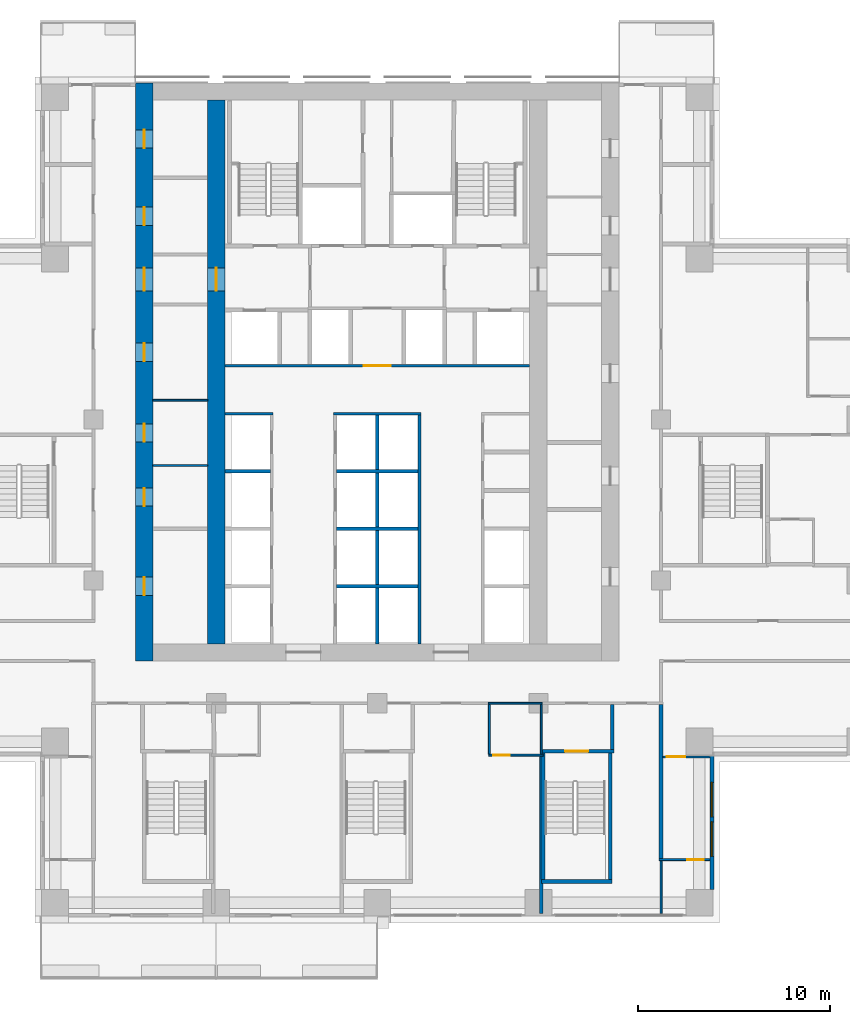
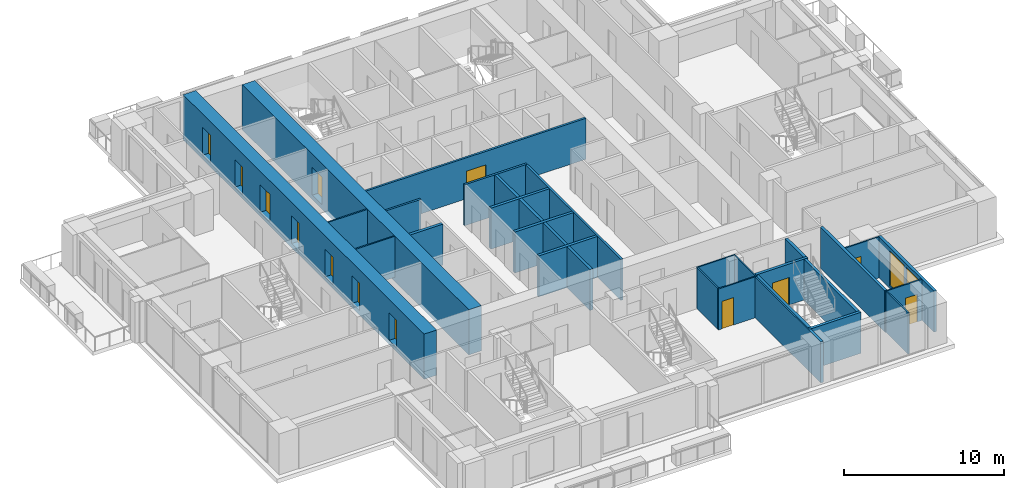
# One storey, part 8 of 16: 28 walls, 13 doors, 2 windows, 15 openings.
"""IFC4 building model written with IfcOpenShell, lengths in metres."""

from ifc_helpers import new_model, si_unit, direction, frame, frame_2d, origin, place, context, subcontext, project, spatial, rectangle, extrude, material, layer, layer_set, type_object, element, fill, save


model = new_model("IFC4")

# Units and contexts
model_context = context("Model", 3, precision=1e-05, world=origin(), true_north=direction((0.0, 1.0)))
body_context = subcontext(model_context, "Body", "Model", "MODEL_VIEW")
ifc_project = project(units=[si_unit("LENGTHUNIT", "METRE"), si_unit("AREAUNIT", "SQUARE_METRE"), si_unit("VOLUMEUNIT", "CUBIC_METRE"), si_unit("PLANEANGLEUNIT", "RADIAN"), si_unit("MASSUNIT", "GRAM", prefix="KILO")], contexts=[model_context])

# Site, building, storey
site_placement = place(None, origin())
site = spatial("IfcSite", under=ifc_project, at=site_placement, CompositionType="ELEMENT")
building_placement = place(site_placement, origin())
building = spatial("IfcBuilding", under=site, at=building_placement, Name="Vermilion Ogive Tower", CompositionType="ELEMENT")
storey_placement = place(building_placement, frame((0.0, 0.0, 44.85009765625)))
storey = spatial("IfcBuildingStorey", under=building, at=storey_placement, Name="L09", CompositionType="ELEMENT", Elevation=44.85009765625)

# Wall, openings, doors
ifc_material_1 = material(Name="Concrete B80", Category="concrete")
ifc_layer_1 = layer(ifc_material_1, 0.89990234375)
ifc_layer_set_1 = layer_set([ifc_layer_1], Name="Core wall 900 B80")
wall_type_1 = type_object("IfcWallType", Name="Core wall 900 B80", PredefinedType="SHEAR", material=ifc_layer_set_1)
wall_1_placement = place(storey_placement, frame((-12.14990234375, -8.39990234375, -0.320068359375), z_axis=(0.0, 0.0, 1.0), x_axis=(0.0, 1.0, 0.0)))
wall_1 = element("IfcWall", 1, at=wall_1_placement, inside=storey, type_object=wall_type_1, Name="L09-CORE-W", PredefinedType="SHEAR", context=body_context, shape_type="SweptSolid", body=[
    extrude(rectangle(XDim=30.14990234375, YDim=0.89990234375, at=frame_2d((15.074951171875, 0.0))), origin(), (0.0, 0.0, 1.0), 3.449951171875),
])
opening_1_placement = place(wall_1_placement, frame((3.425048828125, 0.0, 0.320068359375)))
opening_1 = element("IfcOpeningElement", 2, at=opening_1_placement, cuts=wall_1, Name="Opening DAD006", PredefinedType="OPENING", context=body_context, shape_type="SweptSolid", body=[
    extrude(rectangle(XDim=0.949951171875, YDim=2.10009765625, at=frame_2d((0.47509765625, 1.050048828125))), frame((0.0, 0.4599609375, 0.0), z_axis=(0.0, -1.0, 0.0), x_axis=(1.0, 0.0, 0.0)), (0.0, 0.0, 1.0), 0.919921875),
])
opening_2_placement = place(wall_1_placement, frame((8.074951171875, 0.0, 0.320068359375)))
opening_2 = element("IfcOpeningElement", 3, at=opening_2_placement, cuts=wall_1, Name="Opening DAD007", PredefinedType="OPENING", context=body_context, shape_type="SweptSolid", body=[
    extrude(rectangle(XDim=0.949951171875, YDim=2.10009765625, at=frame_2d((0.47509765625, 1.050048828125))), frame((0.0, 0.4599609375, 0.0), z_axis=(0.0, -1.0, 0.0), x_axis=(1.0, 0.0, 0.0)), (0.0, 0.0, 1.0), 0.919921875),
])
opening_3_placement = place(wall_1_placement, frame((11.425048828125, 0.0, 0.320068359375)))
opening_3 = element("IfcOpeningElement", 4, at=opening_3_placement, cuts=wall_1, Name="Opening DAD008", PredefinedType="OPENING", context=body_context, shape_type="SweptSolid", body=[
    extrude(rectangle(XDim=0.949951171875, YDim=2.10009765625, at=frame_2d((0.47509765625, 1.050048828125))), frame((0.0, 0.4599609375, 0.0), z_axis=(0.0, -1.0, 0.0), x_axis=(1.0, 0.0, 0.0)), (0.0, 0.0, 1.0), 0.919921875),
])
opening_4_placement = place(wall_1_placement, frame((15.625, 0.0, 0.320068359375)))
opening_4 = element("IfcOpeningElement", 5, at=opening_4_placement, cuts=wall_1, Name="Opening DAD009", PredefinedType="OPENING", context=body_context, shape_type="SweptSolid", body=[
    extrude(rectangle(XDim=0.949951171875, YDim=2.10009765625, at=frame_2d((0.47509765625, 1.050048828125))), frame((0.0, 0.4599609375, 0.0), z_axis=(0.0, -1.0, 0.0), x_axis=(1.0, 0.0, 0.0)), (0.0, 0.0, 1.0), 0.919921875),
])
opening_5_placement = place(wall_1_placement, frame((22.72509765625, 0.0, 0.320068359375)))
opening_5 = element("IfcOpeningElement", 6, at=opening_5_placement, cuts=wall_1, Name="Opening DAD010", PredefinedType="OPENING", context=body_context, shape_type="SweptSolid", body=[
    extrude(rectangle(XDim=0.949951171875, YDim=2.10009765625, at=frame_2d((0.47509765625, 1.050048828125))), frame((0.0, 0.4599609375, 0.0), z_axis=(0.0, -1.0, 0.0), x_axis=(1.0, 0.0, 0.0)), (0.0, 0.0, 1.0), 0.919921875),
])
opening_6_placement = place(wall_1_placement, frame((26.75, 0.0, 0.320068359375)))
opening_6 = element("IfcOpeningElement", 7, at=opening_6_placement, cuts=wall_1, Name="Opening DAD011", PredefinedType="OPENING", context=body_context, shape_type="SweptSolid", body=[
    extrude(rectangle(XDim=0.949951171875, YDim=2.10009765625, at=frame_2d((0.47509765625, 1.050048828125))), frame((0.0, 0.4599609375, 0.0), z_axis=(0.0, -1.0, 0.0), x_axis=(1.0, 0.0, 0.0)), (0.0, 0.0, 1.0), 0.919921875),
])
opening_7_placement = place(wall_1_placement, frame((19.300048828125, 0.0, 0.320068359375)))
opening_7 = element("IfcOpeningElement", 8, at=opening_7_placement, cuts=wall_1, Name="Opening DAM002", PredefinedType="OPENING", context=body_context, shape_type="SweptSolid", body=[
    extrude(rectangle(XDim=1.199951171875, YDim=2.10009765625, at=frame_2d((0.60009765625, 1.050048828125))), frame((0.0, 0.4599609375, 0.0), z_axis=(0.0, -1.0, 0.0), x_axis=(1.0, 0.0, 0.0)), (0.0, 0.0, 1.0), 0.919921875),
])
ifc_material_2 = material(Name="Timber door leaf", Category="wood")
door_type_1 = type_object("IfcDoorType", Name="Link door 1200 x 2100 FD60S", OperationType="SINGLE_SWING_LEFT", PredefinedType="DOOR", material=ifc_material_2)
door_1_placement = place(opening_7_placement, origin())
door_1 = element("IfcDoor", 9, at=door_1_placement, inside=storey, type_object=door_type_1, Name="L09-CKW-XL", OperationType="SINGLE_SWING_LEFT", OverallHeight=2.10009765625, OverallWidth=1.199951171875, PredefinedType="DOOR", context=body_context, shape_type="SweptSolid", body=[
    extrude(rectangle(XDim=1.199951171875, YDim=2.10009765625, at=frame_2d((0.60009765625, 1.050048828125))), frame((0.0, 0.02490234375, 0.0), z_axis=(0.0, -1.0, 0.0), x_axis=(1.0, 0.0, 0.0)), (0.0, 0.0, 1.0), 0.050048828125),
])
fill(opening_7, door_1)
ifc_material_3 = material(Name="Timber door leaf", Category="wood")
door_type_2 = type_object("IfcDoorType", Name="Service door 950 x 2100 FD60", OperationType="SINGLE_SWING_LEFT", PredefinedType="DOOR", material=ifc_material_3)
door_2_placement = place(opening_1_placement, origin())
door_2 = element("IfcDoor", 10, at=door_2_placement, inside=storey, type_object=door_type_2, Name="L09-CKW-XR0", OperationType="SINGLE_SWING_LEFT", OverallHeight=2.10009765625, OverallWidth=0.949951171875, PredefinedType="DOOR", context=body_context, shape_type="SweptSolid", body=[
    extrude(rectangle(XDim=0.949951171875, YDim=2.10009765625, at=frame_2d((0.47509765625, 1.050048828125))), frame((0.0, 0.02490234375, 0.0), z_axis=(0.0, -1.0, 0.0), x_axis=(1.0, 0.0, 0.0)), (0.0, 0.0, 1.0), 0.050048828125),
])
fill(opening_1, door_2)
door_3_placement = place(opening_2_placement, origin())
door_3 = element("IfcDoor", 11, at=door_3_placement, inside=storey, type_object=door_type_2, Name="L09-CKW-XR1", OperationType="SINGLE_SWING_LEFT", OverallHeight=2.10009765625, OverallWidth=0.949951171875, PredefinedType="DOOR", context=body_context, shape_type="SweptSolid", body=[
    extrude(rectangle(XDim=0.949951171875, YDim=2.10009765625, at=frame_2d((0.47509765625, 1.050048828125))), frame((0.0, 0.02490234375, 0.0), z_axis=(0.0, -1.0, 0.0), x_axis=(1.0, 0.0, 0.0)), (0.0, 0.0, 1.0), 0.050048828125),
])
fill(opening_2, door_3)
door_4_placement = place(opening_3_placement, origin())
door_4 = element("IfcDoor", 12, at=door_4_placement, inside=storey, type_object=door_type_2, Name="L09-CKW-XR2", OperationType="SINGLE_SWING_LEFT", OverallHeight=2.10009765625, OverallWidth=0.949951171875, PredefinedType="DOOR", context=body_context, shape_type="SweptSolid", body=[
    extrude(rectangle(XDim=0.949951171875, YDim=2.10009765625, at=frame_2d((0.47509765625, 1.050048828125))), frame((0.0, 0.02490234375, 0.0), z_axis=(0.0, -1.0, 0.0), x_axis=(1.0, 0.0, 0.0)), (0.0, 0.0, 1.0), 0.050048828125),
])
fill(opening_3, door_4)
door_5_placement = place(opening_4_placement, origin())
door_5 = element("IfcDoor", 13, at=door_5_placement, inside=storey, type_object=door_type_2, Name="L09-CKW-XR3", OperationType="SINGLE_SWING_LEFT", OverallHeight=2.10009765625, OverallWidth=0.949951171875, PredefinedType="DOOR", context=body_context, shape_type="SweptSolid", body=[
    extrude(rectangle(XDim=0.949951171875, YDim=2.10009765625, at=frame_2d((0.47509765625, 1.050048828125))), frame((0.0, 0.02490234375, 0.0), z_axis=(0.0, -1.0, 0.0), x_axis=(1.0, 0.0, 0.0)), (0.0, 0.0, 1.0), 0.050048828125),
])
fill(opening_4, door_5)
door_6_placement = place(opening_5_placement, origin())
door_6 = element("IfcDoor", 14, at=door_6_placement, inside=storey, type_object=door_type_2, Name="L09-CKW-XR4", OperationType="SINGLE_SWING_LEFT", OverallHeight=2.10009765625, OverallWidth=0.949951171875, PredefinedType="DOOR", context=body_context, shape_type="SweptSolid", body=[
    extrude(rectangle(XDim=0.949951171875, YDim=2.10009765625, at=frame_2d((0.47509765625, 1.050048828125))), frame((0.0, 0.02490234375, 0.0), z_axis=(0.0, -1.0, 0.0), x_axis=(1.0, 0.0, 0.0)), (0.0, 0.0, 1.0), 0.050048828125),
])
fill(opening_5, door_6)
door_7_placement = place(opening_6_placement, origin())
door_7 = element("IfcDoor", 15, at=door_7_placement, inside=storey, type_object=door_type_2, Name="L09-CKW-XR5", OperationType="SINGLE_SWING_LEFT", OverallHeight=2.10009765625, OverallWidth=0.949951171875, PredefinedType="DOOR", context=body_context, shape_type="SweptSolid", body=[
    extrude(rectangle(XDim=0.949951171875, YDim=2.10009765625, at=frame_2d((0.47509765625, 1.050048828125))), frame((0.0, 0.02490234375, 0.0), z_axis=(0.0, -1.0, 0.0), x_axis=(1.0, 0.0, 0.0)), (0.0, 0.0, 1.0), 0.050048828125),
])
fill(opening_6, door_7)

# Wall, opening, door
wall_2_placement = place(storey_placement, frame((-8.39990234375, -7.5, -0.320068359375), z_axis=(0.0, 0.0, 1.0), x_axis=(0.0, 1.0, 0.0)))
wall_2 = element("IfcWall", 16, at=wall_2_placement, inside=storey, type_object=wall_type_1, Name="L09-CORE-WEB1", PredefinedType="SHEAR", context=body_context, shape_type="SweptSolid", body=[
    extrude(rectangle(XDim=28.35009765625, YDim=0.89990234375, at=frame_2d((14.175048828125, 0.0))), origin(), (0.0, 0.0, 1.0), 3.449951171875),
])
opening_8_placement = place(wall_2_placement, frame((18.39990234375, 0.0, 0.320068359375)))
opening_8 = element("IfcOpeningElement", 17, at=opening_8_placement, cuts=wall_2, Name="Opening DAP002", PredefinedType="OPENING", context=body_context, shape_type="SweptSolid", body=[
    extrude(rectangle(XDim=1.199951171875, YDim=2.10009765625, at=frame_2d((0.60009765625, 1.050048828125))), frame((0.0, 0.4599609375, 0.0), z_axis=(0.0, -1.0, 0.0), x_axis=(1.0, 0.0, 0.0)), (0.0, 0.0, 1.0), 0.919921875),
])
door_8_placement = place(opening_8_placement, origin())
door_8 = element("IfcDoor", 18, at=door_8_placement, inside=storey, type_object=door_type_1, Name="L09-CKW-XW", OperationType="SINGLE_SWING_LEFT", OverallHeight=2.10009765625, OverallWidth=1.199951171875, PredefinedType="DOOR", context=body_context, shape_type="SweptSolid", body=[
    extrude(rectangle(XDim=1.199951171875, YDim=2.10009765625, at=frame_2d((0.60009765625, 1.050048828125))), frame((0.0, 0.02490234375, 0.0), z_axis=(0.0, -1.0, 0.0), x_axis=(1.0, 0.0, 0.0)), (0.0, 0.0, 1.0), 0.050048828125),
])
fill(opening_8, door_8)

ifc_material_4 = material(Name="Gypsum board partition on steel studs", Category="steel")
ifc_layer_2 = layer(ifc_material_4, 0.10009765625)
ifc_layer_set_2 = layer_set([ifc_layer_2], Name="Partition 100 bath")
wall_type_2 = type_object("IfcWallType", Name="Partition 100 bath", PredefinedType="PARTITIONING", material=ifc_layer_set_2)
wall_3_placement = place(storey_placement, frame((14.699951171875, -18.75, 0.0), z_axis=(0.0, 0.0, 1.0), x_axis=(1.0, 0.0, 0.0)))
wall_3 = element("IfcWall", 19, at=wall_3_placement, inside=storey, type_object=wall_type_2, Name="L09-W-W005", PredefinedType="PARTITIONING", context=body_context, shape_type="SweptSolid", body=[
    extrude(rectangle(XDim=2.650146484375, YDim=0.10009765625, at=frame_2d((1.3251953125, 0.0))), origin(), (0.0, 0.0, 1.0), 3.1298828125),
])
opening_9_placement = place(wall_3_placement, frame((1.47509765625, 0.0, 0.0)))
opening_9 = element("IfcOpeningElement", 20, at=opening_9_placement, cuts=wall_3, Name="Opening D1G2017", PredefinedType="OPENING", context=body_context, shape_type="SweptSolid", body=[
    extrude(rectangle(XDim=0.85009765625, YDim=2.10009765625, at=frame_2d((0.425048828125, 1.050048828125))), frame((0.0, 0.06005859375, 0.0), z_axis=(0.0, -1.0, 0.0), x_axis=(1.0, 0.0, 0.0)), (0.0, 0.0, 1.0), 0.1201171875),
])
ifc_material_5 = material(Name="Timber door leaf", Category="wood")
door_type_3 = type_object("IfcDoorType", Name="Bath door 850 x 2100 FD30", OperationType="SINGLE_SWING_LEFT", PredefinedType="DOOR", material=ifc_material_5)
door_9_placement = place(opening_9_placement, origin())
door_9 = element("IfcDoor", 21, at=door_9_placement, inside=storey, type_object=door_type_3, Name="L09-D-D017", OperationType="SINGLE_SWING_LEFT", OverallHeight=2.10009765625, OverallWidth=0.85009765625, PredefinedType="DOOR", context=body_context, shape_type="SweptSolid", body=[
    extrude(rectangle(XDim=0.85009765625, YDim=2.10009765625, at=frame_2d((0.425048828125, 1.050048828125))), frame((0.0, 0.02490234375, 0.0), z_axis=(0.0, -1.0, 0.0), x_axis=(1.0, 0.0, 0.0)), (0.0, 0.0, 1.0), 0.050048828125),
])
fill(opening_9, door_9)

wall_4_placement = place(storey_placement, frame((5.802001953125, -13.300048828125, 0.0), z_axis=(0.0, 0.0, 1.0), x_axis=(1.0, 0.0, 0.0)))
wall_4 = element("IfcWall", 22, at=wall_4_placement, inside=storey, type_object=wall_type_2, Name="L09-W-W009", PredefinedType="PARTITIONING", context=body_context, shape_type="SweptSolid", body=[
    extrude(rectangle(XDim=2.847900390625, YDim=0.10009765625, at=frame_2d((1.423828125, 0.0))), origin(), (0.0, 0.0, 1.0), 3.1298828125),
])
opening_10_placement = place(wall_4_placement, frame((0.248046875, 0.0, 0.0)))
opening_10 = element("IfcOpeningElement", 23, at=opening_10_placement, cuts=wall_4, Name="Opening D1G2014", PredefinedType="OPENING", context=body_context, shape_type="SweptSolid", body=[
    extrude(rectangle(XDim=0.85009765625, YDim=2.10009765625, at=frame_2d((0.425048828125, 1.050048828125))), frame((0.0, 0.06005859375, 0.0), z_axis=(0.0, -1.0, 0.0), x_axis=(1.0, 0.0, 0.0)), (0.0, 0.0, 1.0), 0.1201171875),
])
door_10_placement = place(opening_10_placement, origin())
door_10 = element("IfcDoor", 24, at=door_10_placement, inside=storey, type_object=door_type_3, Name="L09-D-D014", OperationType="SINGLE_SWING_LEFT", OverallHeight=2.10009765625, OverallWidth=0.85009765625, PredefinedType="DOOR", context=body_context, shape_type="SweptSolid", body=[
    extrude(rectangle(XDim=0.85009765625, YDim=2.10009765625, at=frame_2d((0.425048828125, 1.050048828125))), frame((0.0, 0.02490234375, 0.0), z_axis=(0.0, -1.0, 0.0), x_axis=(1.0, 0.0, 0.0)), (0.0, 0.0, 1.0), 0.050048828125),
])
fill(opening_10, door_10)

# Walls
wall_5_placement = place(storey_placement, frame((5.800048828125, -10.60009765625, 0.0), z_axis=(0.0, 0.0, 1.0), x_axis=(1.0, 0.0, 0.0)))
element("IfcWall", 25, at=wall_5_placement, inside=storey, type_object=wall_type_2, Name="L09-W-W016", PredefinedType="PARTITIONING", context=body_context, shape_type="SweptSolid", body=[
    extrude(rectangle(XDim=2.800048828125, YDim=0.10009765625, at=frame_2d((1.39990234375, 0.0))), origin(), (0.0, 0.0, 1.0), 3.1298828125),
])
wall_6_placement = place(storey_placement, frame((5.85009765625, -13.248046875, 0.0), z_axis=(0.0, 0.0, 1.0), x_axis=(0.0, 1.0, 0.0)))
element("IfcWall", 26, at=wall_6_placement, inside=storey, type_object=wall_type_2, Name="L09-W-W059", PredefinedType="PARTITIONING", context=body_context, shape_type="SweptSolid", body=[
    extrude(rectangle(XDim=2.572998046875, YDim=0.10009765625, at=frame_2d((1.28662109375, 0.0))), origin(), (0.0, 0.0, 1.0), 3.1298828125),
])
wall_7_placement = place(storey_placement, frame((8.550048828125, -13.25, 0.0), z_axis=(0.0, 0.0, 1.0), x_axis=(0.0, 1.0, 0.0)))
element("IfcWall", 27, at=wall_7_placement, inside=storey, type_object=wall_type_2, Name="L09-W-W061", PredefinedType="PARTITIONING", context=body_context, shape_type="SweptSolid", body=[
    extrude(rectangle(XDim=2.574951171875, YDim=0.10009765625, at=frame_2d((1.28759765625, 0.0))), origin(), (0.0, 0.0, 1.0), 3.1298828125),
])
wall_8_placement = place(storey_placement, frame((14.800048828125, -21.550048828125, 0.0), z_axis=(0.0, 0.0, 1.0), x_axis=(0.0, 1.0, 0.0)))
element("IfcWall", 28, at=wall_8_placement, inside=storey, type_object=wall_type_2, Name="L09-W-W065", PredefinedType="PARTITIONING", context=body_context, shape_type="SweptSolid", body=[
    extrude(rectangle(XDim=2.75, YDim=0.10009765625, at=frame_2d((1.375, 0.0))), origin(), (0.0, 0.0, 1.0), 3.1298828125),
])
for number, where, z_axis, x_axis, name in (
    (29, (-11.698974609375, 1.800048828125, 0.0), (0.0, 0.0, 1.0), (1.0, 0.0, 0.0), "L09-CKW-W-W002"),
    (30, (-11.698974609375, 5.199951171875, 0.0), (0.0, 0.0, 1.0), (1.0, 0.0, 0.0), "L09-CKW-W-W003"),
):
    element("IfcWall", number, at=place(storey_placement, frame(where, z_axis=z_axis, x_axis=x_axis)), inside=storey, type_object=wall_type_2, Name=name, PredefinedType="PARTITIONING", context=body_context, shape_type="SweptSolid", body=[
        extrude(rectangle(XDim=2.847900390625, YDim=0.10009765625, at=frame_2d((1.423828125, 0.0))), origin(), (0.0, 0.0, 1.0), 3.1298828125),
    ])

# Wall, opening, door
ifc_material_6 = material(Name="Gypsum board partition on steel studs", Category="steel")
ifc_layer_3 = layer(ifc_material_6, 0.10009765625)
ifc_layer_set_3 = layer_set([ifc_layer_3], Name="Partition 100 inner")
wall_type_3 = type_object("IfcWallType", Name="Partition 100 inner", PredefinedType="PARTITIONING", material=ifc_layer_set_3)
wall_9_placement = place(storey_placement, frame((14.89990234375, -13.39990234375, 0.0), z_axis=(0.0, 0.0, 1.0), x_axis=(1.0, 0.0, 0.0)))
wall_9 = element("IfcWall", 31, at=wall_9_placement, inside=storey, type_object=wall_type_3, Name="L09-W-W007", PredefinedType="PARTITIONING", context=body_context, shape_type="SweptSolid", body=[
    extrude(rectangle(XDim=2.4501953125, YDim=0.10009765625, at=frame_2d((1.22509765625, 0.0))), origin(), (0.0, 0.0, 1.0), 3.1298828125),
])
opening_11_placement = place(wall_9_placement, frame((0.2001953125, 0.0, 0.0)))
opening_11 = element("IfcOpeningElement", 32, at=opening_11_placement, cuts=wall_9, Name="Opening D1G2016", PredefinedType="OPENING", context=body_context, shape_type="SweptSolid", body=[
    extrude(rectangle(XDim=0.949951171875, YDim=2.10009765625, at=frame_2d((0.47509765625, 1.050048828125))), frame((0.0, 0.06005859375, 0.0), z_axis=(0.0, -1.0, 0.0), x_axis=(1.0, 0.0, 0.0)), (0.0, 0.0, 1.0), 0.1201171875),
])
ifc_material_7 = material(Name="Timber door leaf", Category="wood")
door_type_4 = type_object("IfcDoorType", Name="Inner door 950 x 2100 FD30", OperationType="SINGLE_SWING_LEFT", PredefinedType="DOOR", material=ifc_material_7)
door_11_placement = place(opening_11_placement, origin())
door_11 = element("IfcDoor", 33, at=door_11_placement, inside=storey, type_object=door_type_4, Name="L09-D-D016", OperationType="SINGLE_SWING_RIGHT", OverallHeight=2.10009765625, OverallWidth=0.949951171875, PredefinedType="DOOR", context=body_context, shape_type="SweptSolid", body=[
    extrude(rectangle(XDim=0.949951171875, YDim=2.10009765625, at=frame_2d((0.47509765625, 1.050048828125))), frame((0.0, 0.02490234375, 0.0), z_axis=(0.0, -1.0, 0.0), x_axis=(1.0, 0.0, 0.0)), (0.0, 0.0, 1.0), 0.050048828125),
])
fill(opening_11, door_11)

# Walls
ifc_material_8 = material(Name="Gypsum board partition on steel studs", Category="steel")
ifc_layer_4 = layer(ifc_material_8, 0.14990234375)
ifc_layer_set_4 = layer_set([ifc_layer_4], Name="Partition 150 corridor")
wall_type_4 = type_object("IfcWallType", Name="Partition 150 corridor", PredefinedType="PARTITIONING", material=ifc_layer_set_4)
wall_10_placement = place(storey_placement, frame((-7.948974609375, 4.5, 0.0), z_axis=(0.0, 0.0, 1.0), x_axis=(1.0, 0.0, 0.0)))
element("IfcWall", 34, at=wall_10_placement, inside=storey, type_object=wall_type_4, Name="L09-CK-W-W011", PredefinedType="PARTITIONING", context=body_context, shape_type="SweptSolid", body=[
    extrude(rectangle(XDim=2.52392578125, YDim=0.14990234375, at=frame_2d((1.261962890625, 0.0))), origin(), (0.0, 0.0, 1.0), 3.1298828125),
])
wall_11_placement = place(storey_placement, frame((-2.27490234375, 4.5, 0.0), z_axis=(0.0, 0.0, 1.0), x_axis=(1.0, 0.0, 0.0)))
element("IfcWall", 35, at=wall_11_placement, inside=storey, type_object=wall_type_4, Name="L09-CK-W-W012", PredefinedType="PARTITIONING", context=body_context, shape_type="SweptSolid", body=[
    extrude(rectangle(XDim=4.5498046875, YDim=0.14990234375, at=frame_2d((2.27490234375, 0.0))), origin(), (0.0, 0.0, 1.0), 3.1298828125),
])

# Wall, opening, door
wall_12_placement = place(storey_placement, frame((-7.948974609375, 7.0, 0.0), z_axis=(0.0, 0.0, 1.0), x_axis=(1.0, 0.0, 0.0)))
wall_12 = element("IfcWall", 36, at=wall_12_placement, inside=storey, type_object=wall_type_4, Name="L09-CK-W-W014", PredefinedType="PARTITIONING", context=body_context, shape_type="SweptSolid", body=[
    extrude(rectangle(XDim=15.89794921875, YDim=0.14990234375, at=frame_2d((7.948974609375, 0.0))), origin(), (0.0, 0.0, 1.0), 3.1298828125),
])
opening_12_placement = place(wall_12_placement, frame((7.2490234375, 0.0, 0.0)))
opening_12 = element("IfcOpeningElement", 37, at=opening_12_placement, cuts=wall_12, Name="Opening DAA024", PredefinedType="OPENING", context=body_context, shape_type="SweptSolid", body=[
    extrude(rectangle(XDim=1.39990234375, YDim=2.10009765625, at=frame_2d((0.699951171875, 1.050048828125))), frame((0.0, 0.0849609375, 0.0), z_axis=(0.0, -1.0, 0.0), x_axis=(1.0, 0.0, 0.0)), (0.0, 0.0, 1.0), 0.169921875),
])
ifc_material_9 = material(Name="Timber door leaf", Category="wood")
door_type_5 = type_object("IfcDoorType", Name="Lobby door 1400 x 2100 FD60S", OperationType="SINGLE_SWING_LEFT", PredefinedType="DOOR", material=ifc_material_9)
door_12_placement = place(opening_12_placement, origin())
door_12 = element("IfcDoor", 38, at=door_12_placement, inside=storey, type_object=door_type_5, Name="L09-CK-D-D016", OperationType="SINGLE_SWING_RIGHT", OverallHeight=2.10009765625, OverallWidth=1.39990234375, PredefinedType="DOOR", context=body_context, shape_type="SweptSolid", body=[
    extrude(rectangle(XDim=1.39990234375, YDim=2.10009765625, at=frame_2d((0.699951171875, 1.050048828125))), frame((0.0, 0.02490234375, 0.0), z_axis=(0.0, -1.0, 0.0), x_axis=(1.0, 0.0, 0.0)), (0.0, 0.0, 1.0), 0.050048828125),
])
fill(opening_12, door_12)

# Walls
wall_13_placement = place(storey_placement, frame((2.199951171875, -7.4990234375, 0.0), z_axis=(0.0, 0.0, 1.0), x_axis=(0.0, 1.0, 0.0)))
element("IfcWall", 39, at=wall_13_placement, inside=storey, type_object=wall_type_4, Name="L09-CK-W-W035", PredefinedType="PARTITIONING", context=body_context, shape_type="SweptSolid", body=[
    extrude(rectangle(XDim=11.924072265625, YDim=0.14990234375, at=frame_2d((5.9619140625, 0.0))), origin(), (0.0, 0.0, 1.0), 3.1298828125),
])
ifc_material_10 = material(Name="Gypsum board partition on steel studs", Category="steel")
ifc_layer_5 = layer(ifc_material_10, 0.199951171875)
ifc_layer_set_5 = layer_set([ifc_layer_5], Name="Partition 200 party")
wall_type_5 = type_object("IfcWallType", Name="Partition 200 party", PredefinedType="PARTITIONING", material=ifc_layer_set_5)
wall_14_placement = place(storey_placement, frame((14.800048828125, -18.699951171875, 0.0), z_axis=(0.0, 0.0, 1.0), x_axis=(0.0, 1.0, 0.0)))
element("IfcWall", 40, at=wall_14_placement, inside=storey, type_object=wall_type_5, Name="L09-W-W066", PredefinedType="PARTITIONING", context=body_context, shape_type="SweptSolid", body=[
    extrude(rectangle(XDim=8.02490234375, YDim=0.199951171875, at=frame_2d((4.012451171875, 0.0))), origin(), (0.0, 0.0, 1.0), 3.1298828125),
])
for number, where, z_axis, x_axis, name in (
    (41, (-2.125, -4.5, 0.0), (0.0, 0.0, 1.0), (1.0, 0.0, 0.0), "L09-CK-W-W002"),
    (42, (-2.125, -1.5, 0.0), (0.0, 0.0, 1.0), (1.0, 0.0, 0.0), "L09-CK-W-W005"),
):
    element("IfcWall", number, at=place(storey_placement, frame(where, z_axis=z_axis, x_axis=x_axis)), inside=storey, type_object=wall_type_5, Name=name, PredefinedType="PARTITIONING", context=body_context, shape_type="SweptSolid", body=[
        extrude(rectangle(XDim=4.25, YDim=0.199951171875, at=frame_2d((2.125, 0.0))), origin(), (0.0, 0.0, 1.0), 3.1298828125),
    ])
wall_15_placement = place(storey_placement, frame((-7.948974609375, 1.5, 0.0), z_axis=(0.0, 0.0, 1.0), x_axis=(1.0, 0.0, 0.0)))
element("IfcWall", 43, at=wall_15_placement, inside=storey, type_object=wall_type_5, Name="L09-CK-W-W008", PredefinedType="PARTITIONING", context=body_context, shape_type="SweptSolid", body=[
    extrude(rectangle(XDim=2.3740234375, YDim=0.199951171875, at=frame_2d((1.18701171875, 0.0))), origin(), (0.0, 0.0, 1.0), 3.1298828125),
])
wall_16_placement = place(storey_placement, frame((-2.125, 1.5, 0.0), z_axis=(0.0, 0.0, 1.0), x_axis=(1.0, 0.0, 0.0)))
element("IfcWall", 44, at=wall_16_placement, inside=storey, type_object=wall_type_5, Name="L09-CK-W-W009", PredefinedType="PARTITIONING", context=body_context, shape_type="SweptSolid", body=[
    extrude(rectangle(XDim=4.25, YDim=0.199951171875, at=frame_2d((2.125, 0.0))), origin(), (0.0, 0.0, 1.0), 3.1298828125),
])
wall_17_placement = place(storey_placement, frame((0.0, -7.4990234375, 0.0), z_axis=(0.0, 0.0, 1.0), x_axis=(0.0, 1.0, 0.0)))
element("IfcWall", 45, at=wall_17_placement, inside=storey, type_object=wall_type_5, Name="L09-CK-W-W031", PredefinedType="PARTITIONING", context=body_context, shape_type="SweptSolid", body=[
    extrude(rectangle(XDim=11.924072265625, YDim=0.199951171875, at=frame_2d((5.9619140625, 0.0))), origin(), (0.0, 0.0, 1.0), 3.1298828125),
])
ifc_material_11 = material(Name="Concrete B60", Category="concrete")
ifc_layer_6 = layer(ifc_material_11, 0.199951171875)
ifc_layer_set_6 = layer_set([ifc_layer_6], Name="Stair shaft wall 200 Concrete B60")
wall_type_6 = type_object("IfcWallType", Name="Stair shaft wall 200 Concrete B60", PredefinedType="SOLIDWALL", material=ifc_layer_set_6)
wall_18_placement = place(storey_placement, frame((8.552001953125, -19.89990234375, 0.0), z_axis=(0.0, 0.0, 1.0), x_axis=(1.0, 0.0, 0.0)))
element("IfcWall", 46, at=wall_18_placement, inside=storey, type_object=wall_type_6, Name="L09-W-W003", PredefinedType="SOLIDWALL", context=body_context, shape_type="SweptSolid", body=[
    extrude(rectangle(XDim=3.696044921875, YDim=0.199951171875, at=frame_2d((1.84814453125, 0.0))), origin(), (0.0, 0.0, 1.0), 3.1298828125),
])

# Wall, opening, door
wall_19_placement = place(storey_placement, frame((8.60205078125, -13.10009765625, 0.0), z_axis=(0.0, 0.0, 1.0), x_axis=(1.0, 0.0, 0.0)))
wall_19 = element("IfcWall", 47, at=wall_19_placement, inside=storey, type_object=wall_type_6, Name="L09-W-W012", PredefinedType="SOLIDWALL", context=body_context, shape_type="SweptSolid", body=[
    extrude(rectangle(XDim=3.745849609375, YDim=0.199951171875, at=frame_2d((1.873046875, 0.0))), origin(), (0.0, 0.0, 1.0), 3.1298828125),
])
opening_13_placement = place(wall_19_placement, frame((1.197998046875, 0.0, 0.0)))
opening_13 = element("IfcOpeningElement", 48, at=opening_13_placement, cuts=wall_19, Name="Opening D1G2030", PredefinedType="OPENING", context=body_context, shape_type="SweptSolid", body=[
    extrude(rectangle(XDim=1.199951171875, YDim=2.10009765625, at=frame_2d((0.60009765625, 1.050048828125))), frame((0.0, 0.10986328125, 0.0), z_axis=(0.0, -1.0, 0.0), x_axis=(1.0, 0.0, 0.0)), (0.0, 0.0, 1.0), 0.219970703125),
])
ifc_material_12 = material(Name="Timber door leaf", Category="wood")
door_type_6 = type_object("IfcDoorType", Name="Stair door 1200 x 2100 FD60S", OperationType="SINGLE_SWING_LEFT", PredefinedType="DOOR", material=ifc_material_12)
door_13_placement = place(opening_13_placement, origin())
door_13 = element("IfcDoor", 49, at=door_13_placement, inside=storey, type_object=door_type_6, Name="L09-D-D030", OperationType="SINGLE_SWING_RIGHT", OverallHeight=2.10009765625, OverallWidth=1.199951171875, PredefinedType="DOOR", context=body_context, shape_type="SweptSolid", body=[
    extrude(rectangle(XDim=1.199951171875, YDim=2.10009765625, at=frame_2d((0.60009765625, 1.050048828125))), frame((0.0, 0.02490234375, 0.0), z_axis=(0.0, -1.0, 0.0), x_axis=(1.0, 0.0, 0.0)), (0.0, 0.0, 1.0), 0.050048828125),
])
fill(opening_13, door_13)

# Walls
for number, where, z_axis, x_axis, name in (
    (50, (8.64990234375, -19.798095703125, 0.0), (0.0, 0.0, 1.0), (0.0, 1.0, 0.0), "L09-W-W062"),
    (51, (12.14990234375, -19.798095703125, 0.0), (0.0, 0.0, 1.0), (0.0, 1.0, 0.0), "L09-W-W063"),
):
    element("IfcWall", number, at=place(storey_placement, frame(where, z_axis=z_axis, x_axis=x_axis)), inside=storey, type_object=wall_type_6, Name=name, PredefinedType="SOLIDWALL", context=body_context, shape_type="SweptSolid", body=[
        extrude(rectangle(XDim=6.59619140625, YDim=0.199951171875, at=frame_2d((3.298095703125, 0.0))), origin(), (0.0, 0.0, 1.0), 3.1298828125),
    ])
wall_20_placement = place(storey_placement, frame((12.25, -12.998046875, 0.0), z_axis=(0.0, 0.0, 1.0), x_axis=(0.0, 1.0, 0.0)))
element("IfcWall", 52, at=wall_20_placement, inside=storey, type_object=wall_type_6, Name="L09-W-W064", PredefinedType="SOLIDWALL", context=body_context, shape_type="SweptSolid", body=[
    extrude(rectangle(XDim=2.322998046875, YDim=0.199951171875, at=frame_2d((1.16162109375, 0.0))), origin(), (0.0, 0.0, 1.0), 3.1298828125),
])
wall_21_placement = place(storey_placement, frame((8.550048828125, -21.550048828125, 0.0), z_axis=(0.0, 0.0, 1.0), x_axis=(0.0, 1.0, 0.0)))
element("IfcWall", 53, at=wall_21_placement, inside=storey, type_object=wall_type_6, Name="L09-W-W060-A", PredefinedType="SOLIDWALL", context=body_context, shape_type="SweptSolid", body=[
    extrude(rectangle(XDim=8.199951171875, YDim=0.199951171875, at=frame_2d((4.10009765625, 0.0))), origin(), (0.0, 0.0, 1.0), 3.1298828125),
])

# Wall, openings, windows
ifc_material_13 = material(Name="Aluminium window wall framing", Category="aluminium")
ifc_layer_7 = layer(ifc_material_13, 0.199951171875)
ifc_layer_set_7 = layer_set([ifc_layer_7], Name="Window wall")
wall_type_7 = type_object("IfcWallType", Name="Window wall", PredefinedType="STANDARD", material=ifc_layer_set_7)
wall_22_placement = place(storey_placement, frame((17.449951171875, -20.300048828125, 0.0), z_axis=(0.0, 0.0, 1.0), x_axis=(0.0, 1.0, 0.0)))
wall_22 = element("IfcWall", 54, at=wall_22_placement, inside=storey, type_object=wall_type_7, Name="Window wall X11", PredefinedType="STANDARD", context=body_context, shape_type="SweptSolid", body=[
    extrude(rectangle(XDim=6.949951171875, YDim=0.199951171875, at=frame_2d((3.47509765625, 0.0))), origin(), (0.0, 0.0, 1.0), 3.1298828125),
])
opening_14_placement = place(wall_22_placement, frame((1.719970703125, 0.0, 0.199951171875)))
opening_14 = element("IfcOpeningElement", 55, at=opening_14_placement, cuts=wall_22, Name="Opening W1-X195", PredefinedType="OPENING", context=body_context, shape_type="SweptSolid", body=[
    extrude(rectangle(XDim=1.800048828125, YDim=2.64990234375, at=frame_2d((0.89990234375, 1.324951171875))), frame((0.0, 0.10986328125, 0.0), z_axis=(0.0, -1.0, 0.0), x_axis=(1.0, 0.0, 0.0)), (0.0, 0.0, 1.0), 0.219970703125),
])
opening_15_placement = place(wall_22_placement, frame((3.77490234375, 0.0, 0.199951171875)))
opening_15 = element("IfcOpeningElement", 56, at=opening_15_placement, cuts=wall_22, Name="Opening W1-X196", PredefinedType="OPENING", context=body_context, shape_type="SweptSolid", body=[
    extrude(rectangle(XDim=1.800048828125, YDim=2.64990234375, at=frame_2d((0.89990234375, 1.324951171875))), frame((0.0, 0.10986328125, 0.0), z_axis=(0.0, -1.0, 0.0), x_axis=(1.0, 0.0, 0.0)), (0.0, 0.0, 1.0), 0.219970703125),
])
ifc_material_14 = material(Name="Aluminium framed double glazing", Category="aluminium")
window_type = type_object("IfcWindowType", Name="Guest window W1", PartitioningType="SINGLE_PANEL", PredefinedType="WINDOW", material=ifc_material_14)
window_1_placement = place(opening_14_placement, origin())
window_1 = element("IfcWindow", 57, at=window_1_placement, inside=storey, type_object=window_type, Name="Window X195", OverallHeight=2.64990234375, OverallWidth=1.800048828125, PartitioningType="SINGLE_PANEL", PredefinedType="WINDOW", context=body_context, shape_type="SweptSolid", body=[
    extrude(rectangle(XDim=1.800048828125, YDim=2.64990234375, at=frame_2d((0.89990234375, 1.324951171875))), frame((0.0, 0.030029296875, 0.0), z_axis=(0.0, -1.0, 0.0), x_axis=(1.0, 0.0, 0.0)), (0.0, 0.0, 1.0), 0.06005859375),
])
fill(opening_14, window_1)
window_2_placement = place(opening_15_placement, origin())
window_2 = element("IfcWindow", 58, at=window_2_placement, inside=storey, type_object=window_type, Name="Window X196", OverallHeight=2.64990234375, OverallWidth=1.800048828125, PartitioningType="SINGLE_PANEL", PredefinedType="WINDOW", context=body_context, shape_type="SweptSolid", body=[
    extrude(rectangle(XDim=1.800048828125, YDim=2.64990234375, at=frame_2d((0.89990234375, 1.324951171875))), frame((0.0, 0.030029296875, 0.0), z_axis=(0.0, -1.0, 0.0), x_axis=(1.0, 0.0, 0.0)), (0.0, 0.0, 1.0), 0.06005859375),
])
fill(opening_15, window_2)

save(model, "model.ifc")
